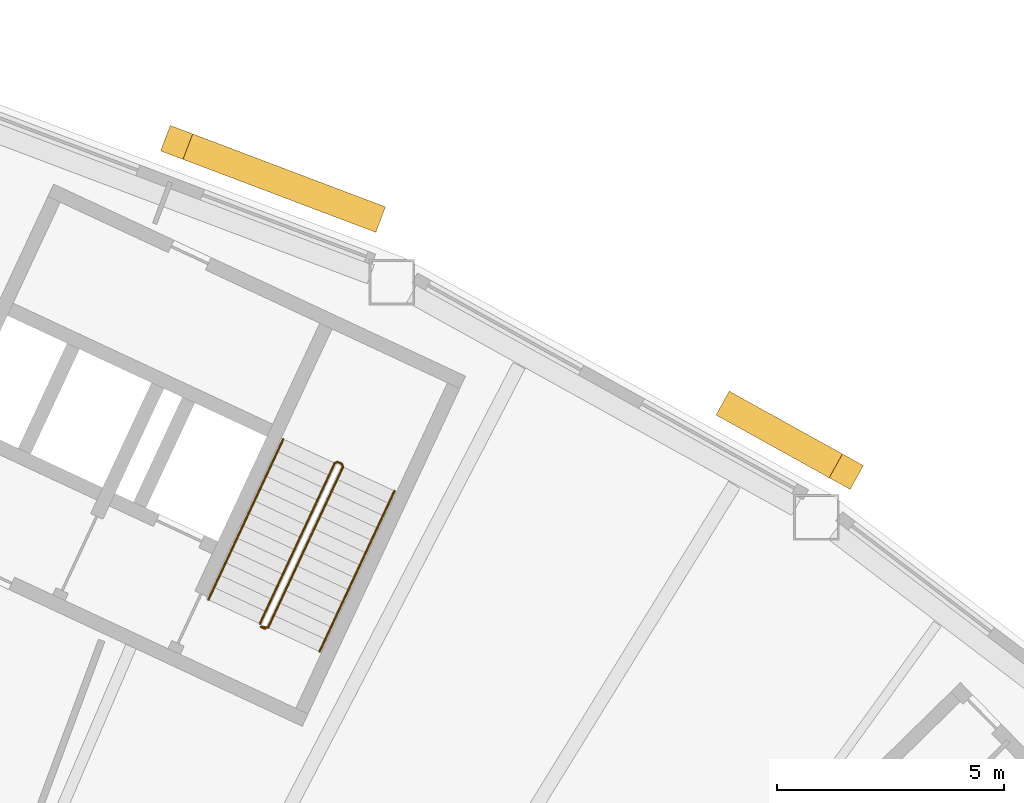
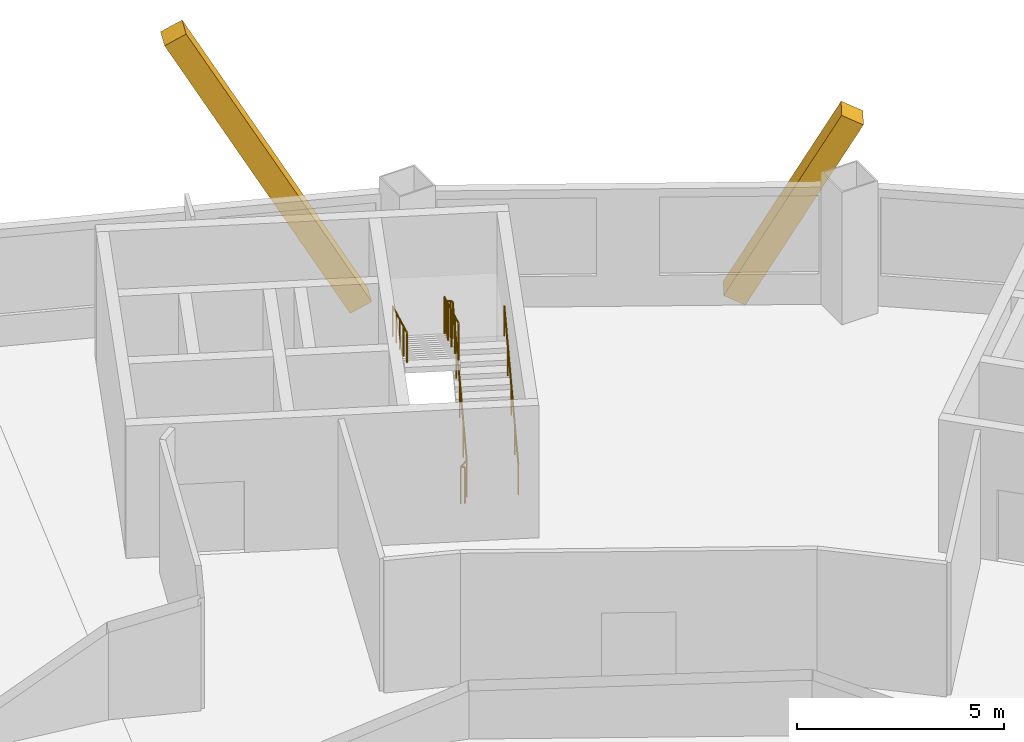
# One storey, part 11 of 11: 3 railings, 2 coverings.
"""IFC4 building model written with IfcOpenShell, lengths in metres."""

from ifc_helpers import new_model, si_unit, direction, frame, origin, origin_2d, place, context, subcontext, project, spatial, rectangle, circle, extrude, material, material_profile, profile_set, type_object, element, save


model = new_model("IFC4")

# Units and contexts
model_context = context("Model", 3, precision=1e-05, world=origin(), true_north=direction((0.0, 1.0)))
body_context = subcontext(model_context, "Body", "Model", "MODEL_VIEW")
ifc_project = project(units=[si_unit("LENGTHUNIT", "METRE"), si_unit("AREAUNIT", "SQUARE_METRE"), si_unit("VOLUMEUNIT", "CUBIC_METRE"), si_unit("PLANEANGLEUNIT", "RADIAN"), si_unit("MASSUNIT", "GRAM", prefix="KILO")], contexts=[model_context])

# Site, building, storey
site_placement = place(None, origin())
site = spatial("IfcSite", under=ifc_project, at=site_placement, CompositionType="ELEMENT")
building_placement = place(site_placement, origin())
building = spatial("IfcBuilding", under=site, at=building_placement, Name="Tuul Gate Civic Tower", CompositionType="ELEMENT")
storey_placement = place(building_placement, frame((0.0, 0.0, 155.0)))
storey = spatial("IfcBuildingStorey", under=building, at=storey_placement, Name="Level 35", CompositionType="ELEMENT", Elevation=155.0)

# Railings
ifc_material_1 = material(Name="Painted steel", Category="steel")
railing_type_1 = type_object("IfcRailingType", Name="Stair guard", PredefinedType="GUARDRAIL", material=ifc_material_1)
railing_1_placement = place(storey_placement, frame((33.645751953125, -5.238525390625, 0.0)))
element("IfcRailing", 1, at=railing_1_placement, inside=storey, type_object=railing_type_1, Name="Level 35 ST-4 stair guard 1", PredefinedType="GUARDRAIL", context=body_context, shape_type="SweptSolid", body=[
    extrude(circle(Radius=0.02392578125, at=origin_2d()), frame((0.0, 0.0, 1.076171875), z_axis=(-0.906307919131, 0.422617978463, 0.0), x_axis=(-0.422617978463, -0.906307919131, 0.0)), (0.0, 0.0, 1.0), 0.099853515625),
    extrude(circle(Radius=0.02392578125, at=origin_2d()), frame((-0.090576171875, 0.042236328125, 1.076171875), z_axis=(0.720735628292, -0.082946246491, 0.688229666829), x_axis=(0.114330889033, 0.993442724979, 0.0)), (0.0, 0.0, 1.0), 0.2177734375),
    extrude(circle(Radius=0.02392578125, at=origin_2d()), frame((0.06640625, 0.024169921875, 1.22607421875), z_axis=(0.377937439636, 0.810633814971, 0.447253965602), x_axis=(-0.906336612539, 0.422556439746, 0.0)), (0.0, 0.0, 1.0), 4.3603515625),
    extrude(circle(Radius=0.02392578125, at=origin_2d()), frame((1.71435546875, 3.558837890625, 3.17626953125), z_axis=(-0.342020437038, 0.939692513883, 0.0), x_axis=(-0.939692513883, -0.342020437038, 0.0)), (0.0, 0.0, 1.0), 0.070556640625),
    extrude(circle(Radius=0.02392578125, at=origin_2d()), frame((1.690185546875, 3.625244140625, 3.17626953125), z_axis=(-0.906307919131, 0.422617978463, 0.0), x_axis=(-0.422617978463, -0.906307919131, 0.0)), (0.0, 0.0, 1.0), 0.099853515625),
    extrude(circle(Radius=0.02392578125, at=origin_2d()), frame((1.599609375, 3.66748046875, 3.17626953125), z_axis=(-0.40070210376, -0.145843780413, 0.904526072458), x_axis=(0.342020437038, -0.939692513883, 0.0)), (0.0, 0.0, 1.0), 0.165771484375),
    extrude(circle(Radius=0.02392578125, at=origin_2d()), frame((1.533203125, 3.643310546875, 3.326171875), z_axis=(-0.377946903738, -0.810654114417, 0.447209173356), x_axis=(0.906336612539, -0.422556439746, 0.0)), (0.0, 0.0, 1.0), 4.3603515625),
    extrude(circle(Radius=0.02099609375, at=origin_2d()), origin(), (0.0, 0.0, 1.0), 1.052001953125),
    extrude(circle(Radius=0.02099609375, at=origin_2d()), frame((-0.090576171875, 0.042236328125, 0.0)), (0.0, 0.0, 1.0), 1.052001953125),
    extrude(circle(Radius=0.02099609375, at=origin_2d()), frame((0.06640625, 0.024169921875, 0.14990234375)), (0.0, 0.0, 1.0), 1.052001953125),
    extrude(circle(Radius=0.02099609375, at=origin_2d()), frame((0.478515625, 0.90771484375, 0.637451171875)), (0.0, 0.0, 1.0), 1.052001953125),
    extrude(circle(Radius=0.02099609375, at=origin_2d()), frame((0.890380859375, 1.79150390625, 1.125)), (0.0, 0.0, 1.0), 1.052001953125),
    extrude(circle(Radius=0.02099609375, at=origin_2d()), frame((1.30224609375, 2.67529296875, 1.612548828125)), (0.0, 0.0, 1.0), 1.052001953125),
    extrude(circle(Radius=0.02099609375, at=origin_2d()), frame((1.71435546875, 3.558837890625, 2.10009765625)), (0.0, 0.0, 1.0), 1.052001953125),
    extrude(circle(Radius=0.02099609375, at=origin_2d()), frame((1.690185546875, 3.625244140625, 2.10009765625)), (0.0, 0.0, 1.0), 1.052001953125),
    extrude(circle(Radius=0.02099609375, at=origin_2d()), frame((1.599609375, 3.66748046875, 2.10009765625)), (0.0, 0.0, 1.0), 1.052001953125),
    extrude(circle(Radius=0.02099609375, at=origin_2d()), frame((1.533203125, 3.643310546875, 2.25)), (0.0, 0.0, 1.0), 1.052001953125),
    extrude(circle(Radius=0.02099609375, at=origin_2d()), frame((1.12109375, 2.759765625, 2.737548828125)), (0.0, 0.0, 1.0), 1.052001953125),
    extrude(circle(Radius=0.02099609375, at=origin_2d()), frame((0.709228515625, 1.8759765625, 3.22509765625)), (0.0, 0.0, 1.0), 1.052001953125),
    extrude(circle(Radius=0.02099609375, at=origin_2d()), frame((0.29736328125, 0.9921875, 3.71240234375)), (0.0, 0.0, 1.0), 1.052001953125),
    extrude(circle(Radius=0.02099609375, at=origin_2d()), frame((-0.11474609375, 0.108642578125, 4.199951171875)), (0.0, 0.0, 1.0), 1.052001953125),
])
ifc_material_2 = material(Name="Painted steel", Category="steel")
railing_type_2 = type_object("IfcRailingType", Name="Stair handrail", PredefinedType="HANDRAIL", material=ifc_material_2)
railing_2_placement = place(storey_placement, frame((34.844970703125, -5.74267578125, 0.14990234375)))
element("IfcRailing", 2, at=railing_2_placement, inside=storey, type_object=railing_type_2, Name="Level 35 ST-4 stair handrail 1", PredefinedType="HANDRAIL", context=body_context, shape_type="SweptSolid", body=[
    extrude(circle(Radius=0.02392578125, at=origin_2d()), frame((0.0, 0.0, 0.8759765625), z_axis=(0.377985431313, 0.810616660428, 0.447244500863), x_axis=(-0.906312636903, 0.422607861012, 0.0)), (0.0, 0.0, 1.0), 4.3603515625),
    extrude(circle(Radius=0.02099609375, at=origin_2d()), origin(), (0.0, 0.0, 1.0), 0.851806640625),
    extrude(circle(Radius=0.02099609375, at=origin_2d()), frame((0.412109375, 0.8837890625, 0.487548828125)), (0.0, 0.0, 1.0), 0.851806640625),
    extrude(circle(Radius=0.02099609375, at=origin_2d()), frame((0.82421875, 1.767333984375, 0.97509765625)), (0.0, 0.0, 1.0), 0.851806640625),
    extrude(circle(Radius=0.02099609375, at=origin_2d()), frame((1.236083984375, 2.65087890625, 1.462646484375)), (0.0, 0.0, 1.0), 0.851806640625),
    extrude(circle(Radius=0.02099609375, at=origin_2d()), frame((1.648193359375, 3.53466796875, 1.9501953125)), (0.0, 0.0, 1.0), 0.851806640625),
])
railing_3_placement = place(storey_placement, frame((34.046142578125, -1.06689453125, 2.25)))
element("IfcRailing", 3, at=railing_3_placement, inside=storey, type_object=railing_type_2, Name="Level 35 ST-4 stair handrail 2", PredefinedType="HANDRAIL", context=body_context, shape_type="SweptSolid", body=[
    extrude(circle(Radius=0.02392578125, at=origin_2d()), frame((0.0, 0.0, 0.8759765625), z_axis=(-0.377994896215, -0.810636958585, 0.447199709091), x_axis=(0.906312636903, -0.422607861012, 0.0)), (0.0, 0.0, 1.0), 4.3603515625),
    extrude(circle(Radius=0.02099609375, at=origin_2d()), origin(), (0.0, 0.0, 1.0), 0.851806640625),
    extrude(circle(Radius=0.02099609375, at=origin_2d()), frame((-0.412109375, -0.8837890625, 0.487548828125)), (0.0, 0.0, 1.0), 0.851806640625),
    extrude(circle(Radius=0.02099609375, at=origin_2d()), frame((-0.82421875, -1.767333984375, 0.97509765625)), (0.0, 0.0, 1.0), 0.851806640625),
    extrude(circle(Radius=0.02099609375, at=origin_2d()), frame((-1.236083984375, -2.65087890625, 1.46240234375)), (0.0, 0.0, 1.0), 0.851806640625),
    extrude(circle(Radius=0.02099609375, at=origin_2d()), frame((-1.648193359375, -3.53466796875, 1.949951171875)), (0.0, 0.0, 1.0), 0.851806640625),
])

# Coverings
ifc_material_3 = material(Name="Terracotta baguette", Category="masonry")
ifc_material_profile = material_profile(ifc_material_3, rectangle(XDim=0.60009765625, YDim=0.60009765625, at=origin_2d()), Name="Terracotta baguette screen frame")
ifc_profile_set = profile_set([ifc_material_profile], Name="Terracotta baguette")
covering_type = type_object("IfcCoveringType", Name="Terracotta baguette screen frame", PredefinedType="CLADDING", material=ifc_profile_set)
covering_1_placement = place(storey_placement, frame((46.43408203125, -1.783447265625, 4.923828125), z_axis=(-0.415588593059, 0.23038019037, -0.879892657774), x_axis=(-0.484834849005, -0.874605722135, 0.0)))
element("IfcCovering", 4, at=covering_1_placement, inside=storey, type_object=covering_type, Name="Baguette 42", PredefinedType="CLADDING", context=body_context, shape_type="SweptSolid", body=[
    extrude(rectangle(XDim=0.60009765625, YDim=0.60009765625, at=origin_2d()), origin(), (0.0, 0.0, 1.0), 5.993896484375),
])
covering_2_placement = place(storey_placement, frame((31.7001953125, 5.460205078125, 8.050048828125), z_axis=(0.444437096235, -0.168092815096, -0.879897990112), x_axis=(0.353758489664, 0.935336800832, 0.0)))
element("IfcCovering", 5, at=covering_2_placement, inside=storey, type_object=covering_type, Name="Baguette 56", PredefinedType="CLADDING", context=body_context, shape_type="SweptSolid", body=[
    extrude(rectangle(XDim=0.60009765625, YDim=0.60009765625, at=origin_2d()), origin(), (0.0, 0.0, 1.0), 9.546630859375),
])

save(model, "model.ifc")
